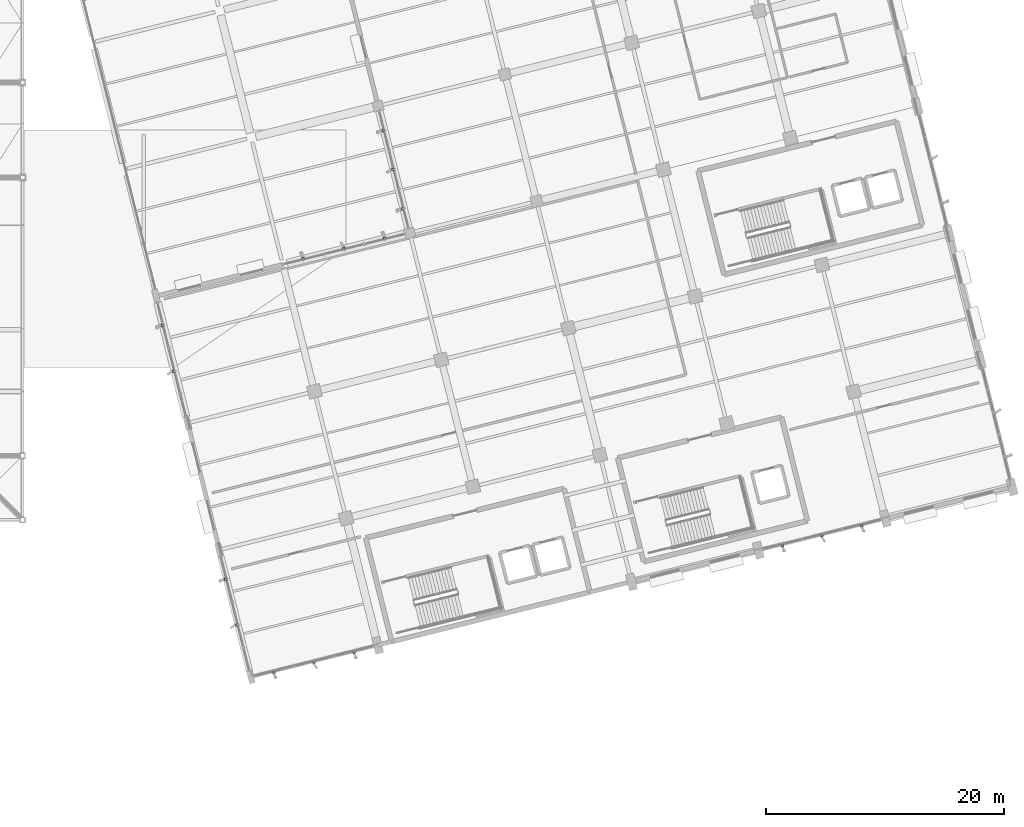
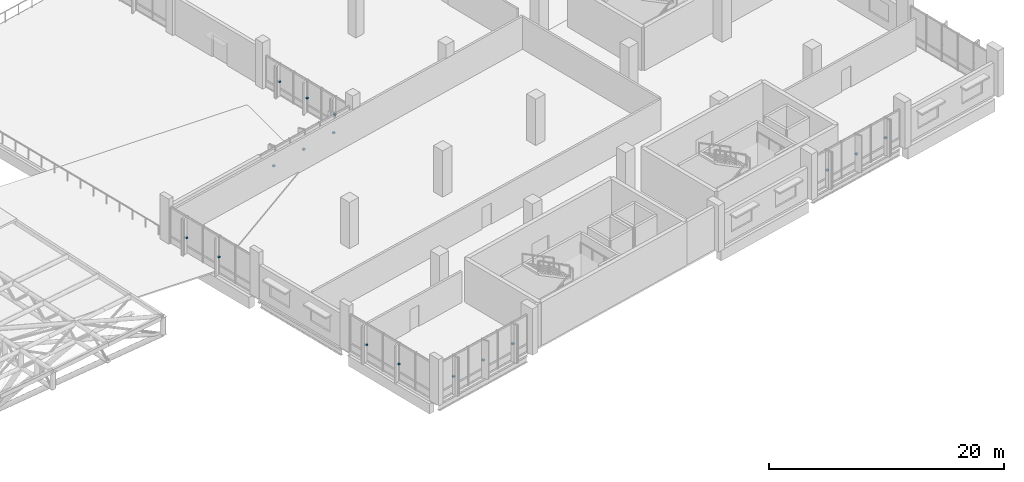
# One storey, part 127 of 137: 16 discrete accessories.
"""IFC4 building model written with IfcOpenShell, lengths in metres."""

from ifc_helpers import new_model, si_unit, direction, frame, origin, origin_2d, place, context, subcontext, project, spatial, rectangle, extrude, material, type_object, element, save


model = new_model("IFC4")

# Units and contexts
model_context = context("Model", 3, precision=1e-05, world=origin(), true_north=direction((0.0, 1.0)))
body_context = subcontext(model_context, "Body", "Model", "MODEL_VIEW")
ifc_project = project(units=[si_unit("LENGTHUNIT", "METRE"), si_unit("AREAUNIT", "SQUARE_METRE"), si_unit("VOLUMEUNIT", "CUBIC_METRE"), si_unit("PLANEANGLEUNIT", "RADIAN"), si_unit("MASSUNIT", "GRAM", prefix="KILO")], contexts=[model_context])

# Site, building, storey
site_placement = place(None, origin())
site = spatial("IfcSite", under=ifc_project, at=site_placement, CompositionType="ELEMENT")
building_placement = place(site_placement, origin())
building = spatial("IfcBuilding", under=site, at=building_placement, Name="Khorjan Park Terminus", CompositionType="ELEMENT")
storey_placement = place(building_placement, frame((0.0, 0.0, 11.4)))
storey = spatial("IfcBuildingStorey", under=building, at=storey_placement, Name="L02", CompositionType="ELEMENT", Elevation=11.4)

# Discrete accessories
ifc_material = material(Name="Steel S355", Category="steel")
discrete_accessory_type = type_object("IfcDiscreteAccessoryType", Name="ACC-BRK-FIN", PredefinedType="BRACKET", material=ifc_material)
for number, where, z_axis, x_axis, name in (
    (1, (167.9333, 2.3892, 1.6917), (0.0, 0.0, 1.0), (0.970295567478, 0.241922532503, 0.0), "Solar fin structural bracket BK-01 (CW-V5-S-L02-B01-1)"),
    (2, (171.3098, 3.2311, 1.6917), (0.0, 0.0, 1.0), (0.970295567478, 0.241922532503, 0.0), "Solar fin structural bracket BK-01 (CW-V5-S-L02-B01-3)"),
    (3, (174.6863, 4.073, 1.6917), (0.0, 0.0, 1.0), (0.970295567478, 0.241922532503, 0.0), "Solar fin structural bracket BK-01 (CW-V5-S-L02-B01-5)"),
    (4, (210.7072, 13.0541, 1.6333), (0.0, 0.0, 1.0), (0.970298180833, 0.241912050695, 0.0), "Solar fin structural bracket BK-01 (CW-V5-S-L02-B05-1)"),
    (5, (214.0514, 13.8878, 1.6333), (0.0, 0.0, 1.0), (0.970298180833, 0.241912050695, 0.0), "Solar fin structural bracket BK-01 (CW-V5-S-L02-B05-3)"),
    (6, (217.3956, 14.7216, 1.6333), (0.0, 0.0, 1.0), (0.970298180833, 0.241912050695, 0.0), "Solar fin structural bracket BK-01 (CW-V5-S-L02-B05-5)"),
    (7, (177.1235, 47.9524, 1.4172), (0.0, 0.0, 1.0), (0.241921344539, -0.970295863671, 0.0), "Solar fin structural bracket BK-01 (CW-V5-NW1-L02-B03-1)"),
    (8, (177.9453, 44.6567, 1.4172), (0.0, 0.0, 1.0), (0.241921344539, -0.970295863671, 0.0), "Solar fin structural bracket BK-01 (CW-V5-NW1-L02-B03-3)"),
    (9, (178.7669, 41.361, 1.4172), (0.0, 0.0, 1.0), (0.241921344539, -0.970295863671, 0.0), "Solar fin structural bracket BK-01 (CW-V5-NW1-L02-B03-5)"),
    (10, (177.2348, 38.9041, 1.5567), (0.0, 0.0, 1.0), (-0.970296650926, -0.241918187, 0.0), "Solar fin structural bracket BK-01 (CW-V5-NW2-L02-B01-1)"),
    (11, (173.8081, 38.0498, 1.5567), (0.0, 0.0, 1.0), (-0.970296650926, -0.241918187, 0.0), "Solar fin structural bracket BK-01 (CW-V5-NW2-L02-B01-3)"),
    (12, (170.3814, 37.1954, 1.5567), (0.0, 0.0, 1.0), (-0.970296650926, -0.241918187, 0.0), "Solar fin structural bracket BK-01 (CW-V5-NW2-L02-B01-5)"),
    (13, (158.5385, 31.5547, 1.6872), (0.0, 0.0, 1.0), (0.241915425176, -0.970297339511, 0.0), "Solar fin structural bracket BK-01 (CW-V5-W-L02-B01-1)"),
    (14, (159.5004, 27.6966, 1.6872), (0.0, 0.0, 1.0), (0.241915425176, -0.970297339511, 0.0), "Solar fin structural bracket BK-01 (CW-V5-W-L02-B01-3)"),
    (15, (163.8608, 10.208, 1.6693), (0.0, 0.0, 1.0), (0.24192009683, -0.970296174758, 0.0), "Solar fin structural bracket BK-01 (CW-V5-W-L02-B03-1)"),
    (16, (164.8227, 6.3503, 1.6693), (0.0, 0.0, 1.0), (0.24192009683, -0.970296174758, 0.0), "Solar fin structural bracket BK-01 (CW-V5-W-L02-B03-3)"),
):
    element("IfcDiscreteAccessory", number, at=place(storey_placement, frame(where, z_axis=z_axis, x_axis=x_axis)), inside=storey, type_object=discrete_accessory_type, Name=name, PredefinedType="BRACKET", context=body_context, shape_type="SweptSolid", body=[
        extrude(rectangle(XDim=0.22, YDim=0.22, at=origin_2d()), origin(), (0.0, 0.0, 1.0), 0.14),
    ])

save(model, "model.ifc")
